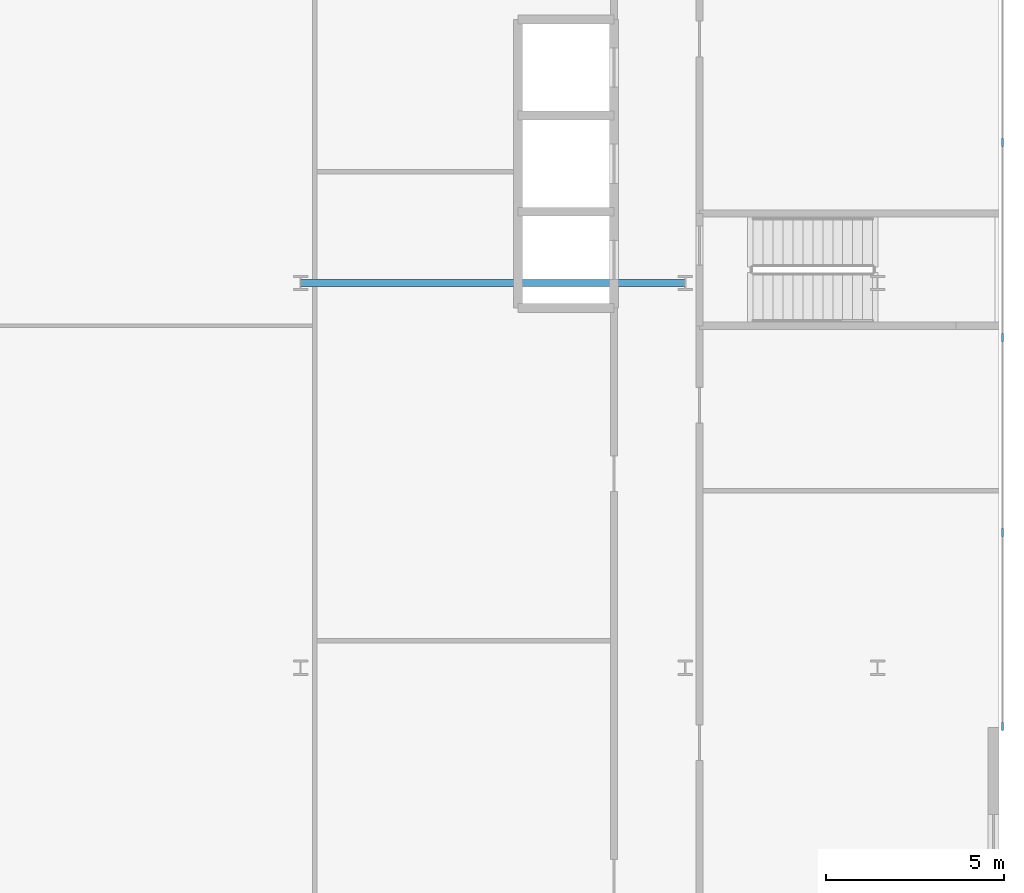
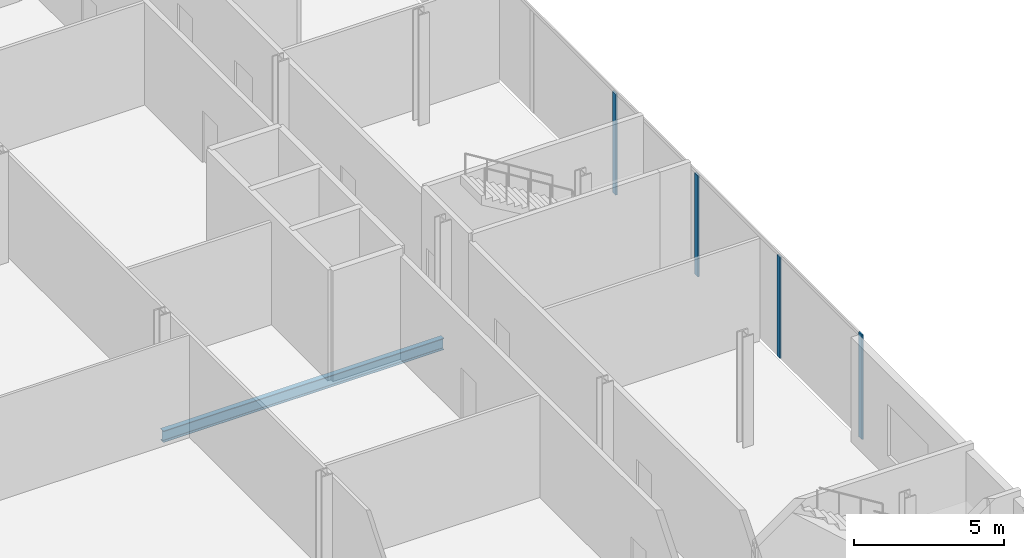
# One storey, part 14 of 47: 4 members, 1 beam, 1 element without a shape of its own.
"""IFC4 building model written with IfcOpenShell, lengths in metres."""

from ifc_helpers import new_model, si_unit, direction, frame, origin, origin_2d, place, context, subcontext, project, spatial, rectangle, i_section, extrude, material, layer, layer_set, material_profile, profile_set, type_object, element, aggregate, save


model = new_model("IFC4")

# Units and contexts
model_context = context("Model", 3, precision=1e-05, world=origin(), true_north=direction((0.0, 1.0)))
body_context = subcontext(model_context, "Body", "Model", "MODEL_VIEW")
ifc_project = project(units=[si_unit("LENGTHUNIT", "METRE"), si_unit("AREAUNIT", "SQUARE_METRE"), si_unit("VOLUMEUNIT", "CUBIC_METRE"), si_unit("PLANEANGLEUNIT", "RADIAN"), si_unit("MASSUNIT", "GRAM", prefix="KILO")], contexts=[model_context])

# Site, building, storey
site_placement = place(None, origin())
site = spatial("IfcSite", under=ifc_project, at=site_placement, CompositionType="ELEMENT")
building_placement = place(site_placement, origin())
building = spatial("IfcBuilding", under=site, at=building_placement, Name="Kheshtan School and Residences Tower", CompositionType="ELEMENT")
storey_placement = place(building_placement, frame((0.0, 0.0, 12.5)))
storey = spatial("IfcBuildingStorey", under=building, at=storey_placement, Name="L02", CompositionType="ELEMENT", Elevation=12.5)

# Beam
ifc_material_1 = material(Name="Steel ASTM A992 Grade 50", Category="steel")
ifc_material_profile_1 = material_profile(ifc_material_1, i_section(OverallWidth=0.194091796875, OverallDepth=0.468994140625, WebThickness=0.0126953125, FlangeThickness=0.0205078125, FilletRadius=0.01416015625, at=origin_2d()), Name="W460x106")
ifc_profile_set_1 = profile_set([ifc_material_profile_1], Name="Steel ASTM A992 Grade 50")
beam_type = type_object("IfcBeamType", Name="Beam PB2 W460x106 ASTM A992 Grade 50", PredefinedType="BEAM", material=ifc_profile_set_1)
beam_placement = place(storey_placement, frame((112.39990234375, 67.199951171875, -0.554443359375), z_axis=(1.0, 0.0, 0.0), x_axis=(0.0, 1.0, 0.0)))
element("IfcBeam", 1, at=beam_placement, inside=storey, type_object=beam_type, Name="Podium floor beam PB2", PredefinedType="BEAM", context=body_context, shape_type="SweptSolid", body=[
    extrude(i_section(OverallWidth=0.194091796875, OverallDepth=0.468994140625, WebThickness=0.0126953125, FlangeThickness=0.0205078125, FilletRadius=0.01416015625, at=origin_2d()), origin(), (0.0, 0.0, 1.0), 10.800048828125),
])

# Curtain wall, members
ifc_material_2 = material(Name="Clear low-e glass in thermally broken aluminium frame", Category="aluminium")
ifc_layer = layer(ifc_material_2, 0.22509765625)
ifc_layer_set = layer_set([ifc_layer], Name="Curtain wall CW-P")
curtain_wall_type = type_object("IfcCurtainWallType", Name="Curtain wall CW-P", PredefinedType="NOTDEFINED", material=ifc_layer_set)
curtain_wall_placement = place(storey_placement, origin())
curtain_wall = element("IfcCurtainWall", 2, at=curtain_wall_placement, inside=storey, type_object=curtain_wall_type, Name="Curtain wall CWP8a", PredefinedType="NOTDEFINED")
ifc_material_3 = material(Name="Thermally broken aluminium, dark bronze anodised", Category="aluminium")
ifc_material_profile_2 = material_profile(ifc_material_3, rectangle(XDim=0.06005859375, YDim=0.22509765625, at=origin_2d()), Name="CW-P mullion 60x225")
ifc_profile_set_2 = profile_set([ifc_material_profile_2], Name="Thermally broken aluminium, dark bronze anodised")
member_type = type_object("IfcMemberType", Name="CW-P mullion 60x225", PredefinedType="MULLION", material=ifc_profile_set_2)
member_1_placement = place(storey_placement, frame((132.10009765625, 71.146728515625, 0.0), z_axis=(0.0, 0.0, 1.0), x_axis=(1.0, 0.0, 0.0)))
member_1 = element("IfcMember", 3, at=member_1_placement, type_object=member_type, Name="CWP8a mullion 7", PredefinedType="MULLION", context=body_context, shape_type="SweptSolid", body=[
    extrude(rectangle(XDim=0.06005859375, YDim=0.22509765625, at=origin_2d()), origin(), (0.0, 0.0, 1.0), 4.110107421875),
])
member_2_placement = place(storey_placement, frame((132.10009765625, 65.671142578125, 0.0), z_axis=(0.0, 0.0, 1.0), x_axis=(1.0, 0.0, 0.0)))
member_2 = element("IfcMember", 4, at=member_2_placement, type_object=member_type, Name="CWP8a mullion 8", PredefinedType="MULLION", context=body_context, shape_type="SweptSolid", body=[
    extrude(rectangle(XDim=0.06005859375, YDim=0.22509765625, at=origin_2d()), origin(), (0.0, 0.0, 1.0), 4.110107421875),
])
member_3_placement = place(storey_placement, frame((132.10009765625, 60.195556640625, 0.0), z_axis=(0.0, 0.0, 1.0), x_axis=(1.0, 0.0, 0.0)))
member_3 = element("IfcMember", 5, at=member_3_placement, type_object=member_type, Name="CWP8a mullion 9", PredefinedType="MULLION", context=body_context, shape_type="SweptSolid", body=[
    extrude(rectangle(XDim=0.06005859375, YDim=0.22509765625, at=origin_2d()), origin(), (0.0, 0.0, 1.0), 4.110107421875),
])
member_4_placement = place(storey_placement, frame((132.10009765625, 54.75, 0.0), z_axis=(0.0, 0.0, 1.0), x_axis=(1.0, 0.0, 0.0)))
member_4 = element("IfcMember", 6, at=member_4_placement, type_object=member_type, Name="CWP8a mullion 10", PredefinedType="MULLION", context=body_context, shape_type="SweptSolid", body=[
    extrude(rectangle(XDim=0.06005859375, YDim=0.22509765625, at=origin_2d()), origin(), (0.0, 0.0, 1.0), 4.25),
])
aggregate(curtain_wall, [member_1, member_2, member_3, member_4])

save(model, "model.ifc")
